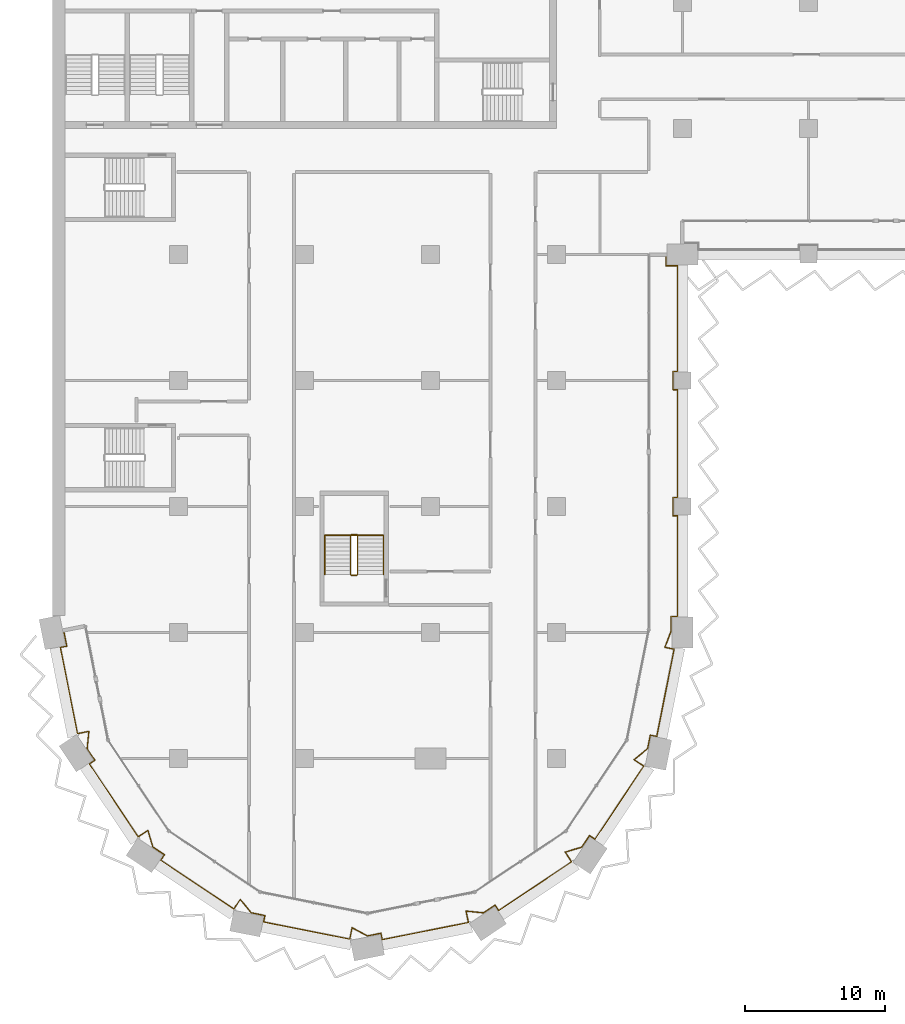
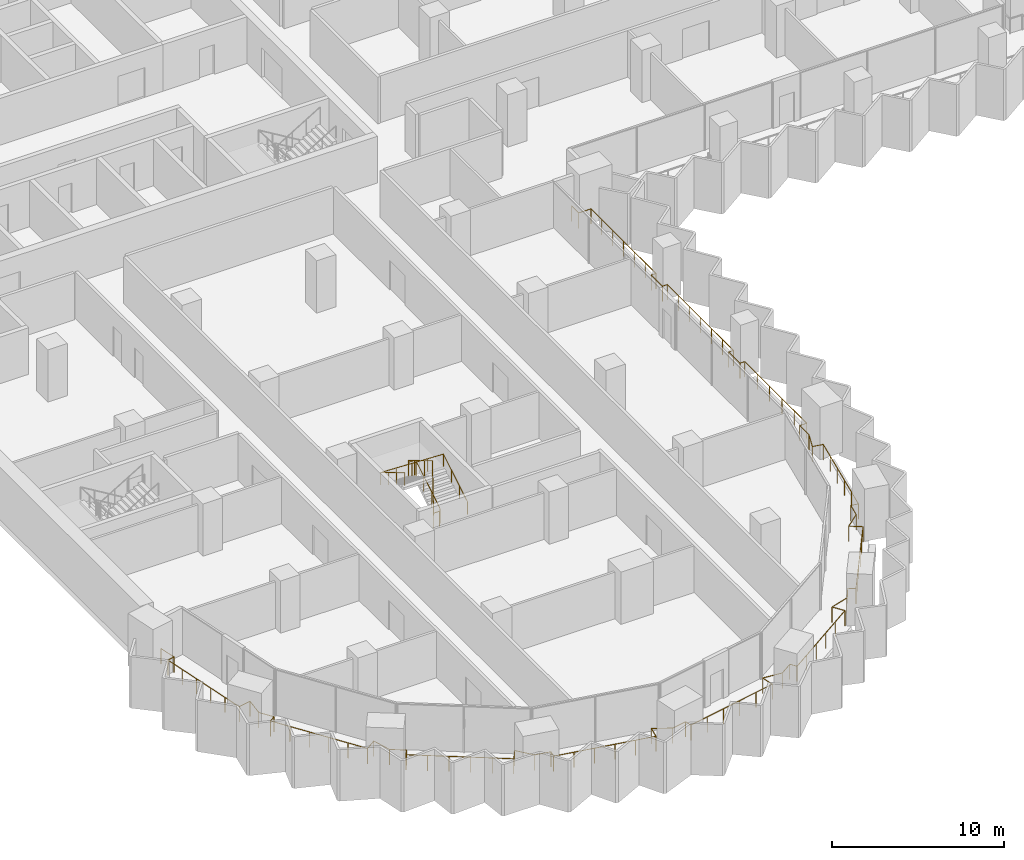
# One storey, part 20 of 23: 3 railings.
"""IFC4 building model written with IfcOpenShell, lengths in metres."""

from ifc_helpers import new_model, si_unit, direction, frame, origin, origin_2d, place, context, subcontext, project, spatial, circle, extrude, material, type_object, element, save


model = new_model("IFC4")

# Units and contexts
model_context = context("Model", 3, precision=1e-05, world=origin(), true_north=direction((0.0, 1.0)))
body_context = subcontext(model_context, "Body", "Model", "MODEL_VIEW")
ifc_project = project(units=[si_unit("LENGTHUNIT", "METRE"), si_unit("AREAUNIT", "SQUARE_METRE"), si_unit("VOLUMEUNIT", "CUBIC_METRE"), si_unit("PLANEANGLEUNIT", "RADIAN"), si_unit("MASSUNIT", "GRAM", prefix="KILO")], contexts=[model_context])

# Site, building, storey
site_placement = place(None, origin())
site = spatial("IfcSite", under=ifc_project, at=site_placement, CompositionType="ELEMENT")
building_placement = place(site_placement, origin())
building = spatial("IfcBuilding", under=site, at=building_placement, Name="Hunhe Ridgeline Campus", CompositionType="ELEMENT")
storey_placement = place(building_placement, frame((0.0, 0.0, 107.0)))
storey = spatial("IfcBuildingStorey", under=building, at=storey_placement, Name="L26", CompositionType="ELEMENT", Elevation=107.0)

# Railings
ifc_material_1 = material(Name="Steel Q355", Category="steel")
railing_type_1 = type_object("IfcRailingType", Name="Loggia guard 1100 Steel Q355", PredefinedType="GUARDRAIL", material=ifc_material_1)
railing_1_placement = place(storey_placement, frame((0.80419921875, 27.159912109375, 0.0)))
element("IfcRailing", 1, at=railing_1_placement, inside=storey, type_object=railing_type_1, Name="Loggia guard 1", PredefinedType="GUARDRAIL", context=body_context, shape_type="SweptSolid", body=[
    extrude(circle(Radius=0.02392578125, at=origin_2d()), frame((0.0, 0.0, 1.076171875), z_axis=(0.195095399255, -0.980784270464, 0.0), x_axis=(0.980784270464, 0.195095399255, 0.0)), (0.0, 0.0, 1.0), 1.150146484375),
    extrude(circle(Radius=0.02392578125, at=origin_2d()), frame((0.224365234375, -1.1279296875, 1.076171875), z_axis=(-0.980839571814, -0.194817181902, 0.0), x_axis=(0.194817181902, -0.980839571814, 0.0)), (0.0, 0.0, 1.0), 0.469970703125),
    extrude(circle(Radius=0.02392578125, at=origin_2d()), frame((-0.236572265625, -1.219482421875, 1.076171875), z_axis=(0.195091122585, -0.98078512116, 0.0), x_axis=(0.98078512116, 0.195091122585, 0.0)), (0.0, 0.0, 1.0), 6.27587890625),
    extrude(circle(Radius=0.02392578125, at=origin_2d()), frame((0.98779296875, -7.374755859375, 1.076171875), z_axis=(0.980805242724, 0.194989937807, 0.0), x_axis=(-0.194989937807, 0.980805242724, 0.0)), (0.0, 0.0, 1.0), 0.833984375),
    extrude(circle(Radius=0.02392578125, at=origin_2d()), frame((1.8056640625, -7.212158203125, 1.076171875), z_axis=(-0.10024174874, -0.994963110778, 0.0), x_axis=(0.994963110778, -0.10024174874, 0.0)), (0.0, 0.0, 1.0), 1.24462890625),
    extrude(circle(Radius=0.02392578125, at=origin_2d()), frame((1.680908203125, -8.450439453125, 1.076171875), z_axis=(0.555613261421, -0.831440860034, 0.0), x_axis=(0.831440860034, 0.555613261421, 0.0)), (0.0, 0.0, 1.0), 0.98681640625),
    extrude(circle(Radius=0.02392578125, at=origin_2d()), frame((2.229248046875, -9.27099609375, 1.076171875), z_axis=(-0.831650496226, -0.55529942565, 0.0), x_axis=(0.55529942565, -0.831650496226, 0.0)), (0.0, 0.0, 1.0), 0.469970703125),
    extrude(circle(Radius=0.02392578125, at=origin_2d()), frame((1.83837890625, -9.531982421875, 1.076171875), z_axis=(0.55555274607, -0.831481296443, 0.0), x_axis=(0.831481296443, 0.55555274607, 0.0)), (0.0, 0.0, 1.0), 6.27587890625),
    extrude(circle(Radius=0.02392578125, at=origin_2d()), frame((5.324951171875, -14.750244140625, 1.076171875), z_axis=(0.831419211319, 0.555645656016, 0.0), x_axis=(-0.555645656016, 0.831419211319, 0.0)), (0.0, 0.0, 1.0), 0.833984375),
    extrude(circle(Radius=0.02392578125, at=origin_2d()), frame((6.018310546875, -14.286865234375, 1.076171875), z_axis=(0.288373576958, -0.957517979002, 0.0), x_axis=(0.957517979002, 0.288373576958, 0.0)), (0.0, 0.0, 1.0), 1.24462890625),
    extrude(circle(Radius=0.02392578125, at=origin_2d()), frame((6.377197265625, -15.478515625, 1.076171875), z_axis=(0.831440860034, -0.555613261421, 0.0), x_axis=(0.555613261421, 0.831440860034, 0.0)), (0.0, 0.0, 1.0), 0.98681640625),
    extrude(circle(Radius=0.02392578125, at=origin_2d()), frame((7.19775390625, -16.02685546875, 1.076171875), z_axis=(-0.555658548717, -0.831410594856, 0.0), x_axis=(0.831410594856, -0.555658548717, 0.0)), (0.0, 0.0, 1.0), 0.47021484375),
    extrude(circle(Radius=0.02392578125, at=origin_2d()), frame((6.9365234375, -16.417724609375, 1.076171875), z_axis=(0.831469289337, -0.555570716372, 0.0), x_axis=(0.555570716372, 0.831469289337, 0.0)), (0.0, 0.0, 1.0), 6.275634765625),
    extrude(circle(Radius=0.02392578125, at=origin_2d()), frame((12.154541015625, -19.904296875, 1.076171875), z_axis=(0.555645656016, 0.831419211319, 0.0), x_axis=(-0.831419211319, 0.555645656016, 0.0)), (0.0, 0.0, 1.0), 0.833984375),
    extrude(circle(Radius=0.02392578125, at=origin_2d()), frame((12.617919921875, -19.2109375, 1.076171875), z_axis=(0.632628709191, -0.774455238414, 0.0), x_axis=(0.774455238414, 0.632628709191, 0.0)), (0.0, 0.0, 1.0), 1.24462890625),
    extrude(circle(Radius=0.02392578125, at=origin_2d()), frame((13.4052734375, -20.1748046875, 1.076171875), z_axis=(0.980770488785, -0.195164669773, 0.0), x_axis=(0.195164669773, 0.980770488785, 0.0)), (0.0, 0.0, 1.0), 0.987060546875),
    extrude(circle(Radius=0.02392578125, at=origin_2d()), frame((14.373291015625, -20.367431640625, 1.076171875), z_axis=(-0.195316901017, -0.980740183829, 0.0), x_axis=(0.980740183829, -0.195316901017, 0.0)), (0.0, 0.0, 1.0), 0.469970703125),
    extrude(circle(Radius=0.02392578125, at=origin_2d()), frame((14.281494140625, -20.828369140625, 1.076171875), z_axis=(0.98078512116, -0.195091122585, 0.0), x_axis=(0.195091122585, 0.98078512116, 0.0)), (0.0, 0.0, 1.0), 6.27587890625),
    extrude(circle(Radius=0.02392578125, at=origin_2d()), frame((20.436767578125, -22.052734375, 1.076171875), z_axis=(0.194989937807, 0.980805242724, 0.0), x_axis=(-0.980805242724, 0.194989937807, 0.0)), (0.0, 0.0, 1.0), 0.833984375),
    extrude(circle(Radius=0.02392578125, at=origin_2d()), frame((20.599365234375, -21.23486328125, 1.076171875), z_axis=(0.880980801229, -0.473152013486, 0.0), x_axis=(0.473152013486, 0.880980801229, 0.0)), (0.0, 0.0, 1.0), 1.24462890625),
    extrude(circle(Radius=0.02392578125, at=origin_2d()), frame((21.69580078125, -21.82373046875, 1.076171875), z_axis=(0.98081780924, 0.194926717196, 0.0), x_axis=(-0.194926717196, 0.98081780924, 0.0)), (0.0, 0.0, 1.0), 0.987060546875),
    extrude(circle(Radius=0.02392578125, at=origin_2d()), frame((22.663818359375, -21.63134765625, 1.076171875), z_axis=(0.194817181902, -0.980839571814, 0.0), x_axis=(0.980839571814, 0.194817181902, 0.0)), (0.0, 0.0, 1.0), 0.469970703125),
    extrude(circle(Radius=0.02392578125, at=origin_2d()), frame((22.75537109375, -22.09228515625, 1.076171875), z_axis=(0.98078512116, 0.195091122585, 0.0), x_axis=(-0.195091122585, 0.98078512116, 0.0)), (0.0, 0.0, 1.0), 6.27587890625),
    extrude(circle(Radius=0.02392578125, at=origin_2d()), frame((28.91064453125, -20.867919921875, 1.076171875), z_axis=(-0.194989937807, 0.980805242724, 0.0), x_axis=(-0.980805242724, -0.194989937807, 0.0)), (0.0, 0.0, 1.0), 0.833984375),
    extrude(circle(Radius=0.02392578125, at=origin_2d()), frame((28.748046875, -20.050048828125, 1.076171875), z_axis=(0.994963110778, -0.10024174874, 0.0), x_axis=(0.10024174874, 0.994963110778, 0.0)), (0.0, 0.0, 1.0), 1.24462890625),
    extrude(circle(Radius=0.02392578125, at=origin_2d()), frame((29.986328125, -20.1748046875, 1.076171875), z_axis=(0.831440860034, 0.555613261421, 0.0), x_axis=(-0.555613261421, 0.831440860034, 0.0)), (0.0, 0.0, 1.0), 0.98681640625),
    extrude(circle(Radius=0.02392578125, at=origin_2d()), frame((30.806884765625, -19.62646484375, 1.076171875), z_axis=(0.55529942565, -0.831650496226, 0.0), x_axis=(0.831650496226, 0.55529942565, 0.0)), (0.0, 0.0, 1.0), 0.469970703125),
    extrude(circle(Radius=0.02392578125, at=origin_2d()), frame((31.06787109375, -20.017333984375, 1.076171875), z_axis=(0.831481296443, 0.55555274607, 0.0), x_axis=(-0.55555274607, 0.831481296443, 0.0)), (0.0, 0.0, 1.0), 6.27587890625),
    extrude(circle(Radius=0.02392578125, at=origin_2d()), frame((36.2861328125, -16.53076171875, 1.076171875), z_axis=(-0.555645656016, 0.831419211319, 0.0), x_axis=(-0.831419211319, -0.555645656016, 0.0)), (0.0, 0.0, 1.0), 0.833984375),
    extrude(circle(Radius=0.02392578125, at=origin_2d()), frame((35.82275390625, -15.83740234375, 1.076171875), z_axis=(0.957517979002, 0.288373576958, 0.0), x_axis=(-0.288373576958, 0.957517979002, 0.0)), (0.0, 0.0, 1.0), 1.24462890625),
    extrude(circle(Radius=0.02392578125, at=origin_2d()), frame((37.014404296875, -15.478515625, 1.076171875), z_axis=(0.555613261421, 0.831440860034, 0.0), x_axis=(-0.831440860034, 0.555613261421, 0.0)), (0.0, 0.0, 1.0), 0.98681640625),
    extrude(circle(Radius=0.02392578125, at=origin_2d()), frame((37.562744140625, -14.657958984375, 1.076171875), z_axis=(0.831410594856, -0.555658548717, 0.0), x_axis=(0.555658548717, 0.831410594856, 0.0)), (0.0, 0.0, 1.0), 0.47021484375),
    extrude(circle(Radius=0.02392578125, at=origin_2d()), frame((37.95361328125, -14.919189453125, 1.076171875), z_axis=(0.555570716372, 0.831469289337, 0.0), x_axis=(-0.831469289337, 0.555570716372, 0.0)), (0.0, 0.0, 1.0), 6.275634765625),
    extrude(circle(Radius=0.02392578125, at=origin_2d()), frame((41.440185546875, -9.701171875, 1.076171875), z_axis=(-0.831419211319, 0.555645656016, 0.0), x_axis=(-0.555645656016, -0.831419211319, 0.0)), (0.0, 0.0, 1.0), 0.833984375),
    extrude(circle(Radius=0.02392578125, at=origin_2d()), frame((40.746826171875, -9.23779296875, 1.076171875), z_axis=(0.774455238414, 0.632628709191, 0.0), x_axis=(-0.632628709191, 0.774455238414, 0.0)), (0.0, 0.0, 1.0), 1.24462890625),
    extrude(circle(Radius=0.02392578125, at=origin_2d()), frame((41.710693359375, -8.450439453125, 1.076171875), z_axis=(0.195164669773, 0.980770488785, 0.0), x_axis=(-0.980770488785, 0.195164669773, 0.0)), (0.0, 0.0, 1.0), 0.987060546875),
    extrude(circle(Radius=0.02392578125, at=origin_2d()), frame((41.9033203125, -7.482421875, 1.076171875), z_axis=(0.980740183829, -0.195316901017, 0.0), x_axis=(0.195316901017, 0.980740183829, 0.0)), (0.0, 0.0, 1.0), 0.469970703125),
    extrude(circle(Radius=0.02392578125, at=origin_2d()), frame((42.3642578125, -7.57421875, 1.076171875), z_axis=(0.195074166836, 0.98078849373, 0.0), x_axis=(-0.98078849373, 0.195074166836, 0.0)), (0.0, 0.0, 1.0), 6.35400390625),
    extrude(circle(Radius=0.02392578125, at=origin_2d()), frame((43.603759765625, -1.34228515625, 1.076171875), z_axis=(-0.980818178173, 0.194924860818, 0.0), x_axis=(-0.194924860818, -0.980818178173, 0.0)), (0.0, 0.0, 1.0), 0.670166015625),
    extrude(circle(Radius=0.02392578125, at=origin_2d()), frame((42.946533203125, -1.211669921875, 1.076171875), z_axis=(0.354368618256, 0.935105813475, 0.0), x_axis=(-0.935105813475, 0.354368618256, 0.0)), (0.0, 0.0, 1.0), 1.211181640625),
    extrude(circle(Radius=0.02392578125, at=origin_2d()), frame((43.375732421875, -0.0791015625, 1.076171875), z_axis=(0.0, 1.0, 0.0), x_axis=(-1.0, 0.0, 0.0)), (0.0, 0.0, 1.0), 1.069091796875),
    extrude(circle(Radius=0.02392578125, at=origin_2d()), frame((43.375732421875, 0.989990234375, 1.076171875), z_axis=(1.0, 0.0, 0.0), x_axis=(0.0, 1.0, 0.0)), (0.0, 0.0, 1.0), 0.469970703125),
    extrude(circle(Radius=0.02392578125, at=origin_2d()), frame((43.845703125, 0.989990234375, 1.076171875), z_axis=(0.0, 1.0, 0.0), x_axis=(-1.0, 0.0, 0.0)), (0.0, 0.0, 1.0), 7.2001953125),
    extrude(circle(Radius=0.02392578125, at=origin_2d()), frame((43.845703125, 8.190185546875, 1.076171875), z_axis=(-1.0, 0.0, 0.0), x_axis=(0.0, -1.0, 0.0)), (0.0, 0.0, 1.0), 0.31982421875),
    extrude(circle(Radius=0.02392578125, at=origin_2d()), frame((43.52587890625, 8.190185546875, 1.076171875), z_axis=(0.0, 1.0, 0.0), x_axis=(-1.0, 0.0, 0.0)), (0.0, 0.0, 1.0), 1.2998046875),
    extrude(circle(Radius=0.02392578125, at=origin_2d()), frame((43.52587890625, 9.489990234375, 1.076171875), z_axis=(1.0, 0.0, 0.0), x_axis=(0.0, 1.0, 0.0)), (0.0, 0.0, 1.0), 0.31982421875),
    extrude(circle(Radius=0.02392578125, at=origin_2d()), frame((43.845703125, 9.489990234375, 1.076171875), z_axis=(0.0, 1.0, 0.0), x_axis=(-1.0, 0.0, 0.0)), (0.0, 0.0, 1.0), 7.7001953125),
    extrude(circle(Radius=0.02392578125, at=origin_2d()), frame((43.845703125, 17.190185546875, 1.076171875), z_axis=(-1.0, 0.0, 0.0), x_axis=(0.0, -1.0, 0.0)), (0.0, 0.0, 1.0), 0.31982421875),
    extrude(circle(Radius=0.02392578125, at=origin_2d()), frame((43.52587890625, 17.190185546875, 1.076171875), z_axis=(0.0, 1.0, 0.0), x_axis=(-1.0, 0.0, 0.0)), (0.0, 0.0, 1.0), 1.2998046875),
    extrude(circle(Radius=0.02392578125, at=origin_2d()), frame((43.52587890625, 18.489990234375, 1.076171875), z_axis=(1.0, 0.0, 0.0), x_axis=(0.0, 1.0, 0.0)), (0.0, 0.0, 1.0), 0.31982421875),
    extrude(circle(Radius=0.02392578125, at=origin_2d()), frame((43.845703125, 18.489990234375, 1.076171875), z_axis=(0.0, 1.0, 0.0), x_axis=(-1.0, 0.0, 0.0)), (0.0, 0.0, 1.0), 7.550048828125),
    extrude(circle(Radius=0.02392578125, at=origin_2d()), frame((43.845703125, 26.0400390625, 1.076171875), z_axis=(-1.0, 0.0, 0.0), x_axis=(0.0, -1.0, 0.0)), (0.0, 0.0, 1.0), 0.81982421875),
    extrude(circle(Radius=0.02392578125, at=origin_2d()), frame((43.02587890625, 26.0400390625, 1.076171875), z_axis=(0.0, 1.0, 0.0), x_axis=(-1.0, 0.0, 0.0)), (0.0, 0.0, 1.0), 0.800048828125),
    extrude(circle(Radius=0.02099609375, at=origin_2d()), origin(), (0.0, 0.0, 1.0), 1.052001953125),
    extrude(circle(Radius=0.02099609375, at=origin_2d()), frame((0.224365234375, -1.1279296875, 0.0)), (0.0, 0.0, 1.0), 1.052001953125),
    extrude(circle(Radius=0.02099609375, at=origin_2d()), frame((-0.236572265625, -1.219482421875, 0.0)), (0.0, 0.0, 1.0), 1.052001953125),
    extrude(circle(Radius=0.02099609375, at=origin_2d()), frame((0.00830078125, -2.450439453125, 0.0)), (0.0, 0.0, 1.0), 1.052001953125),
    extrude(circle(Radius=0.02099609375, at=origin_2d()), frame((0.253173828125, -3.681640625, 0.0)), (0.0, 0.0, 1.0), 1.052001953125),
    extrude(circle(Radius=0.02099609375, at=origin_2d()), frame((0.498046875, -4.91259765625, 0.0)), (0.0, 0.0, 1.0), 1.052001953125),
    extrude(circle(Radius=0.02099609375, at=origin_2d()), frame((0.742919921875, -6.143798828125, 0.0)), (0.0, 0.0, 1.0), 1.052001953125),
    extrude(circle(Radius=0.02099609375, at=origin_2d()), frame((0.98779296875, -7.374755859375, 0.0)), (0.0, 0.0, 1.0), 1.052001953125),
    extrude(circle(Radius=0.02099609375, at=origin_2d()), frame((1.8056640625, -7.212158203125, 0.0)), (0.0, 0.0, 1.0), 1.052001953125),
    extrude(circle(Radius=0.02099609375, at=origin_2d()), frame((1.680908203125, -8.450439453125, 0.0)), (0.0, 0.0, 1.0), 1.052001953125),
    extrude(circle(Radius=0.02099609375, at=origin_2d()), frame((2.229248046875, -9.27099609375, 0.0)), (0.0, 0.0, 1.0), 1.052001953125),
    extrude(circle(Radius=0.02099609375, at=origin_2d()), frame((1.83837890625, -9.531982421875, 0.0)), (0.0, 0.0, 1.0), 1.052001953125),
    extrude(circle(Radius=0.02099609375, at=origin_2d()), frame((2.53564453125, -10.57568359375, 0.0)), (0.0, 0.0, 1.0), 1.052001953125),
    extrude(circle(Radius=0.02099609375, at=origin_2d()), frame((3.23291015625, -11.619384765625, 0.0)), (0.0, 0.0, 1.0), 1.052001953125),
    extrude(circle(Radius=0.02099609375, at=origin_2d()), frame((3.930419921875, -12.662841796875, 0.0)), (0.0, 0.0, 1.0), 1.052001953125),
    extrude(circle(Radius=0.02099609375, at=origin_2d()), frame((4.627685546875, -13.70654296875, 0.0)), (0.0, 0.0, 1.0), 1.052001953125),
    extrude(circle(Radius=0.02099609375, at=origin_2d()), frame((5.324951171875, -14.750244140625, 0.0)), (0.0, 0.0, 1.0), 1.052001953125),
    extrude(circle(Radius=0.02099609375, at=origin_2d()), frame((6.018310546875, -14.286865234375, 0.0)), (0.0, 0.0, 1.0), 1.052001953125),
    extrude(circle(Radius=0.02099609375, at=origin_2d()), frame((6.377197265625, -15.478515625, 0.0)), (0.0, 0.0, 1.0), 1.052001953125),
    extrude(circle(Radius=0.02099609375, at=origin_2d()), frame((7.19775390625, -16.02685546875, 0.0)), (0.0, 0.0, 1.0), 1.052001953125),
    extrude(circle(Radius=0.02099609375, at=origin_2d()), frame((6.9365234375, -16.417724609375, 0.0)), (0.0, 0.0, 1.0), 1.052001953125),
    extrude(circle(Radius=0.02099609375, at=origin_2d()), frame((7.980224609375, -17.114990234375, 0.0)), (0.0, 0.0, 1.0), 1.052001953125),
    extrude(circle(Radius=0.02099609375, at=origin_2d()), frame((9.023681640625, -17.812255859375, 0.0)), (0.0, 0.0, 1.0), 1.052001953125),
    extrude(circle(Radius=0.02099609375, at=origin_2d()), frame((10.0673828125, -18.509765625, 0.0)), (0.0, 0.0, 1.0), 1.052001953125),
    extrude(circle(Radius=0.02099609375, at=origin_2d()), frame((11.11083984375, -19.20703125, 0.0)), (0.0, 0.0, 1.0), 1.052001953125),
    extrude(circle(Radius=0.02099609375, at=origin_2d()), frame((12.154541015625, -19.904296875, 0.0)), (0.0, 0.0, 1.0), 1.052001953125),
    extrude(circle(Radius=0.02099609375, at=origin_2d()), frame((12.617919921875, -19.2109375, 0.0)), (0.0, 0.0, 1.0), 1.052001953125),
    extrude(circle(Radius=0.02099609375, at=origin_2d()), frame((13.4052734375, -20.1748046875, 0.0)), (0.0, 0.0, 1.0), 1.052001953125),
    extrude(circle(Radius=0.02099609375, at=origin_2d()), frame((14.373291015625, -20.367431640625, 0.0)), (0.0, 0.0, 1.0), 1.052001953125),
    extrude(circle(Radius=0.02099609375, at=origin_2d()), frame((14.281494140625, -20.828369140625, 0.0)), (0.0, 0.0, 1.0), 1.052001953125),
    extrude(circle(Radius=0.02099609375, at=origin_2d()), frame((15.512451171875, -21.0732421875, 0.0)), (0.0, 0.0, 1.0), 1.052001953125),
    extrude(circle(Radius=0.02099609375, at=origin_2d()), frame((16.74365234375, -21.318115234375, 0.0)), (0.0, 0.0, 1.0), 1.052001953125),
    extrude(circle(Radius=0.02099609375, at=origin_2d()), frame((17.974609375, -21.56298828125, 0.0)), (0.0, 0.0, 1.0), 1.052001953125),
    extrude(circle(Radius=0.02099609375, at=origin_2d()), frame((19.205810546875, -21.807861328125, 0.0)), (0.0, 0.0, 1.0), 1.052001953125),
    extrude(circle(Radius=0.02099609375, at=origin_2d()), frame((20.436767578125, -22.052734375, 0.0)), (0.0, 0.0, 1.0), 1.052001953125),
    extrude(circle(Radius=0.02099609375, at=origin_2d()), frame((20.599365234375, -21.23486328125, 0.0)), (0.0, 0.0, 1.0), 1.052001953125),
    extrude(circle(Radius=0.02099609375, at=origin_2d()), frame((21.69580078125, -21.82373046875, 0.0)), (0.0, 0.0, 1.0), 1.052001953125),
    extrude(circle(Radius=0.02099609375, at=origin_2d()), frame((22.663818359375, -21.63134765625, 0.0)), (0.0, 0.0, 1.0), 1.052001953125),
    extrude(circle(Radius=0.02099609375, at=origin_2d()), frame((22.75537109375, -22.09228515625, 0.0)), (0.0, 0.0, 1.0), 1.052001953125),
    extrude(circle(Radius=0.02099609375, at=origin_2d()), frame((23.986328125, -21.847412109375, 0.0)), (0.0, 0.0, 1.0), 1.052001953125),
    extrude(circle(Radius=0.02099609375, at=origin_2d()), frame((25.217529296875, -21.6025390625, 0.0)), (0.0, 0.0, 1.0), 1.052001953125),
    extrude(circle(Radius=0.02099609375, at=origin_2d()), frame((26.448486328125, -21.357666015625, 0.0)), (0.0, 0.0, 1.0), 1.052001953125),
    extrude(circle(Radius=0.02099609375, at=origin_2d()), frame((27.6796875, -21.11279296875, 0.0)), (0.0, 0.0, 1.0), 1.052001953125),
    extrude(circle(Radius=0.02099609375, at=origin_2d()), frame((28.91064453125, -20.867919921875, 0.0)), (0.0, 0.0, 1.0), 1.052001953125),
    extrude(circle(Radius=0.02099609375, at=origin_2d()), frame((28.748046875, -20.050048828125, 0.0)), (0.0, 0.0, 1.0), 1.052001953125),
    extrude(circle(Radius=0.02099609375, at=origin_2d()), frame((29.986328125, -20.1748046875, 0.0)), (0.0, 0.0, 1.0), 1.052001953125),
    extrude(circle(Radius=0.02099609375, at=origin_2d()), frame((30.806884765625, -19.62646484375, 0.0)), (0.0, 0.0, 1.0), 1.052001953125),
    extrude(circle(Radius=0.02099609375, at=origin_2d()), frame((31.06787109375, -20.017333984375, 0.0)), (0.0, 0.0, 1.0), 1.052001953125),
    extrude(circle(Radius=0.02099609375, at=origin_2d()), frame((32.111572265625, -19.320068359375, 0.0)), (0.0, 0.0, 1.0), 1.052001953125),
    extrude(circle(Radius=0.02099609375, at=origin_2d()), frame((33.1552734375, -18.622802734375, 0.0)), (0.0, 0.0, 1.0), 1.052001953125),
    extrude(circle(Radius=0.02099609375, at=origin_2d()), frame((34.19873046875, -17.92529296875, 0.0)), (0.0, 0.0, 1.0), 1.052001953125),
    extrude(circle(Radius=0.02099609375, at=origin_2d()), frame((35.242431640625, -17.22802734375, 0.0)), (0.0, 0.0, 1.0), 1.052001953125),
    extrude(circle(Radius=0.02099609375, at=origin_2d()), frame((36.2861328125, -16.53076171875, 0.0)), (0.0, 0.0, 1.0), 1.052001953125),
    extrude(circle(Radius=0.02099609375, at=origin_2d()), frame((35.82275390625, -15.83740234375, 0.0)), (0.0, 0.0, 1.0), 1.052001953125),
    extrude(circle(Radius=0.02099609375, at=origin_2d()), frame((37.014404296875, -15.478515625, 0.0)), (0.0, 0.0, 1.0), 1.052001953125),
    extrude(circle(Radius=0.02099609375, at=origin_2d()), frame((37.562744140625, -14.657958984375, 0.0)), (0.0, 0.0, 1.0), 1.052001953125),
    extrude(circle(Radius=0.02099609375, at=origin_2d()), frame((37.95361328125, -14.919189453125, 0.0)), (0.0, 0.0, 1.0), 1.052001953125),
    extrude(circle(Radius=0.02099609375, at=origin_2d()), frame((38.65087890625, -13.87548828125, 0.0)), (0.0, 0.0, 1.0), 1.052001953125),
    extrude(circle(Radius=0.02099609375, at=origin_2d()), frame((39.34814453125, -12.83203125, 0.0)), (0.0, 0.0, 1.0), 1.052001953125),
    extrude(circle(Radius=0.02099609375, at=origin_2d()), frame((40.045654296875, -11.788330078125, 0.0)), (0.0, 0.0, 1.0), 1.052001953125),
    extrude(circle(Radius=0.02099609375, at=origin_2d()), frame((40.742919921875, -10.744873046875, 0.0)), (0.0, 0.0, 1.0), 1.052001953125),
    extrude(circle(Radius=0.02099609375, at=origin_2d()), frame((41.440185546875, -9.701171875, 0.0)), (0.0, 0.0, 1.0), 1.052001953125),
    extrude(circle(Radius=0.02099609375, at=origin_2d()), frame((40.746826171875, -9.23779296875, 0.0)), (0.0, 0.0, 1.0), 1.052001953125),
    extrude(circle(Radius=0.02099609375, at=origin_2d()), frame((41.710693359375, -8.450439453125, 0.0)), (0.0, 0.0, 1.0), 1.052001953125),
    extrude(circle(Radius=0.02099609375, at=origin_2d()), frame((41.9033203125, -7.482421875, 0.0)), (0.0, 0.0, 1.0), 1.052001953125),
    extrude(circle(Radius=0.02099609375, at=origin_2d()), frame((42.3642578125, -7.57421875, 0.0)), (0.0, 0.0, 1.0), 1.052001953125),
    extrude(circle(Radius=0.02099609375, at=origin_2d()), frame((42.612060546875, -6.327880859375, 0.0)), (0.0, 0.0, 1.0), 1.052001953125),
    extrude(circle(Radius=0.02099609375, at=origin_2d()), frame((42.860107421875, -5.08154296875, 0.0)), (0.0, 0.0, 1.0), 1.052001953125),
    extrude(circle(Radius=0.02099609375, at=origin_2d()), frame((43.10791015625, -3.8349609375, 0.0)), (0.0, 0.0, 1.0), 1.052001953125),
    extrude(circle(Radius=0.02099609375, at=origin_2d()), frame((43.35595703125, -2.588623046875, 0.0)), (0.0, 0.0, 1.0), 1.052001953125),
    extrude(circle(Radius=0.02099609375, at=origin_2d()), frame((43.603759765625, -1.34228515625, 0.0)), (0.0, 0.0, 1.0), 1.052001953125),
    extrude(circle(Radius=0.02099609375, at=origin_2d()), frame((42.946533203125, -1.211669921875, 0.0)), (0.0, 0.0, 1.0), 1.052001953125),
    extrude(circle(Radius=0.02099609375, at=origin_2d()), frame((43.375732421875, -0.0791015625, 0.0)), (0.0, 0.0, 1.0), 1.052001953125),
    extrude(circle(Radius=0.02099609375, at=origin_2d()), frame((43.375732421875, 0.989990234375, 0.0)), (0.0, 0.0, 1.0), 1.052001953125),
    extrude(circle(Radius=0.02099609375, at=origin_2d()), frame((43.845703125, 0.989990234375, 0.0)), (0.0, 0.0, 1.0), 1.052001953125),
    extrude(circle(Radius=0.02099609375, at=origin_2d()), frame((43.845703125, 2.429931640625, 0.0)), (0.0, 0.0, 1.0), 1.052001953125),
    extrude(circle(Radius=0.02099609375, at=origin_2d()), frame((43.845703125, 3.8701171875, 0.0)), (0.0, 0.0, 1.0), 1.052001953125),
    extrude(circle(Radius=0.02099609375, at=origin_2d()), frame((43.845703125, 5.31005859375, 0.0)), (0.0, 0.0, 1.0), 1.052001953125),
    extrude(circle(Radius=0.02099609375, at=origin_2d()), frame((43.845703125, 6.750244140625, 0.0)), (0.0, 0.0, 1.0), 1.052001953125),
    extrude(circle(Radius=0.02099609375, at=origin_2d()), frame((43.845703125, 8.190185546875, 0.0)), (0.0, 0.0, 1.0), 1.052001953125),
    extrude(circle(Radius=0.02099609375, at=origin_2d()), frame((43.52587890625, 8.190185546875, 0.0)), (0.0, 0.0, 1.0), 1.052001953125),
    extrude(circle(Radius=0.02099609375, at=origin_2d()), frame((43.52587890625, 9.489990234375, 0.0)), (0.0, 0.0, 1.0), 1.052001953125),
    extrude(circle(Radius=0.02099609375, at=origin_2d()), frame((43.845703125, 9.489990234375, 0.0)), (0.0, 0.0, 1.0), 1.052001953125),
    extrude(circle(Radius=0.02099609375, at=origin_2d()), frame((43.845703125, 10.7734375, 0.0)), (0.0, 0.0, 1.0), 1.052001953125),
    extrude(circle(Radius=0.02099609375, at=origin_2d()), frame((43.845703125, 12.056640625, 0.0)), (0.0, 0.0, 1.0), 1.052001953125),
    extrude(circle(Radius=0.02099609375, at=origin_2d()), frame((43.845703125, 13.340087890625, 0.0)), (0.0, 0.0, 1.0), 1.052001953125),
    extrude(circle(Radius=0.02099609375, at=origin_2d()), frame((43.845703125, 14.62353515625, 0.0)), (0.0, 0.0, 1.0), 1.052001953125),
    extrude(circle(Radius=0.02099609375, at=origin_2d()), frame((43.845703125, 15.90673828125, 0.0)), (0.0, 0.0, 1.0), 1.052001953125),
    extrude(circle(Radius=0.02099609375, at=origin_2d()), frame((43.845703125, 17.190185546875, 0.0)), (0.0, 0.0, 1.0), 1.052001953125),
    extrude(circle(Radius=0.02099609375, at=origin_2d()), frame((43.52587890625, 17.190185546875, 0.0)), (0.0, 0.0, 1.0), 1.052001953125),
    extrude(circle(Radius=0.02099609375, at=origin_2d()), frame((43.52587890625, 18.489990234375, 0.0)), (0.0, 0.0, 1.0), 1.052001953125),
    extrude(circle(Radius=0.02099609375, at=origin_2d()), frame((43.845703125, 18.489990234375, 0.0)), (0.0, 0.0, 1.0), 1.052001953125),
    extrude(circle(Radius=0.02099609375, at=origin_2d()), frame((43.845703125, 19.748291015625, 0.0)), (0.0, 0.0, 1.0), 1.052001953125),
    extrude(circle(Radius=0.02099609375, at=origin_2d()), frame((43.845703125, 21.006591796875, 0.0)), (0.0, 0.0, 1.0), 1.052001953125),
    extrude(circle(Radius=0.02099609375, at=origin_2d()), frame((43.845703125, 22.26513671875, 0.0)), (0.0, 0.0, 1.0), 1.052001953125),
    extrude(circle(Radius=0.02099609375, at=origin_2d()), frame((43.845703125, 23.5234375, 0.0)), (0.0, 0.0, 1.0), 1.052001953125),
    extrude(circle(Radius=0.02099609375, at=origin_2d()), frame((43.845703125, 24.78173828125, 0.0)), (0.0, 0.0, 1.0), 1.052001953125),
    extrude(circle(Radius=0.02099609375, at=origin_2d()), frame((43.845703125, 26.0400390625, 0.0)), (0.0, 0.0, 1.0), 1.052001953125),
    extrude(circle(Radius=0.02099609375, at=origin_2d()), frame((43.02587890625, 26.0400390625, 0.0)), (0.0, 0.0, 1.0), 1.052001953125),
    extrude(circle(Radius=0.02099609375, at=origin_2d()), frame((43.02587890625, 26.840087890625, 0.0)), (0.0, 0.0, 1.0), 1.052001953125),
])
ifc_material_2 = material(Name="Stainless steel balustrade", Category="steel")
railing_type_2 = type_object("IfcRailingType", Name="Stair guard 1100 stainless", PredefinedType="GUARDRAIL", material=ifc_material_2)
railing_2_placement = place(storey_placement, frame((21.800048828125, 31.14990234375, 0.168212890625)))
element("IfcRailing", 2, at=railing_2_placement, inside=storey, type_object=railing_type_2, Name="L26 stair W3 guard", PredefinedType="GUARDRAIL", context=body_context, shape_type="SweptSolid", body=[
    extrude(circle(Radius=0.02392578125, at=origin_2d()), frame((0.0, 0.0, 1.076171875), z_axis=(0.0, 0.857242210791, 0.514913383045), x_axis=(-1.0, 0.0, 0.0)), (0.0, 0.0, 1.0), 3.266357421875),
    extrude(circle(Radius=0.02392578125, at=origin_2d()), frame((0.0, 2.800048828125, 2.7578125), z_axis=(-0.707106781187, 0.707106781187, 0.0), x_axis=(-0.707106781187, -0.707106781187, 0.0)), (0.0, 0.0, 1.0), 0.07080078125),
    extrude(circle(Radius=0.02392578125, at=origin_2d()), frame((-0.050048828125, 2.85009765625, 2.7578125), z_axis=(-1.0, 0.0, 0.0), x_axis=(0.0, -1.0, 0.0)), (0.0, 0.0, 1.0), 0.39990234375),
    extrude(circle(Radius=0.02392578125, at=origin_2d()), frame((-0.449951171875, 2.85009765625, 2.7578125), z_axis=(-0.274582412415, -0.274582412415, 0.921525364591), x_axis=(0.707106781187, -0.707106781187, 0.0)), (0.0, 0.0, 1.0), 0.182373046875),
    extrude(circle(Radius=0.02392578125, at=origin_2d()), frame((-0.5, 2.800048828125, 2.92578125), z_axis=(0.0, -0.857242210791, 0.514913383045), x_axis=(1.0, 0.0, 0.0)), (0.0, 0.0, 1.0), 3.266357421875),
    extrude(circle(Radius=0.02392578125, at=origin_2d()), frame((-0.5, 0.0, 4.60791015625), z_axis=(0.013524426427, -0.013458453615, -0.999817963389), x_axis=(0.705375805398, 0.708833529934, 0.0)), (0.0, 0.0, 1.0), 3.70068359375),
    extrude(circle(Radius=0.02392578125, at=origin_2d()), frame((-0.449951171875, -0.0498046875, 0.90771484375), z_axis=(1.0, 0.0, 0.0), x_axis=(0.0, 1.0, 0.0)), (0.0, 0.0, 1.0), 0.39990234375),
    extrude(circle(Radius=0.02099609375, at=origin_2d()), origin(), (0.0, 0.0, 1.0), 1.052001953125),
    extrude(circle(Radius=0.02099609375, at=origin_2d()), frame((0.0, 0.933349609375, 0.560546875)), (0.0, 0.0, 1.0), 1.052001953125),
    extrude(circle(Radius=0.02099609375, at=origin_2d()), frame((0.0, 1.86669921875, 1.121337890625)), (0.0, 0.0, 1.0), 1.052001953125),
    extrude(circle(Radius=0.02099609375, at=origin_2d()), frame((0.0, 2.800048828125, 1.681884765625)), (0.0, 0.0, 1.0), 1.052001953125),
    extrude(circle(Radius=0.02099609375, at=origin_2d()), frame((-0.050048828125, 2.85009765625, 1.681884765625)), (0.0, 0.0, 1.0), 1.052001953125),
    extrude(circle(Radius=0.02099609375, at=origin_2d()), frame((-0.449951171875, 2.85009765625, 1.681884765625)), (0.0, 0.0, 1.0), 1.052001953125),
    extrude(circle(Radius=0.02099609375, at=origin_2d()), frame((-0.5, 2.800048828125, 1.849853515625)), (0.0, 0.0, 1.0), 1.052001953125),
    extrude(circle(Radius=0.02099609375, at=origin_2d()), frame((-0.5, 1.86669921875, 2.410400390625)), (0.0, 0.0, 1.0), 1.052001953125),
    extrude(circle(Radius=0.02099609375, at=origin_2d()), frame((-0.5, 0.933349609375, 2.97119140625)), (0.0, 0.0, 1.0), 1.052001953125),
    extrude(circle(Radius=0.02099609375, at=origin_2d()), frame((-0.5, 0.0, 3.53173828125)), (0.0, 0.0, 1.0), 1.052001953125),
    extrude(circle(Radius=0.02099609375, at=origin_2d()), frame((-0.487548828125, -0.012451171875, 2.606689453125)), (0.0, 0.0, 1.0), 1.052001953125),
    extrude(circle(Radius=0.02099609375, at=origin_2d()), frame((-0.47509765625, -0.02490234375, 1.681640625)), (0.0, 0.0, 1.0), 1.052001953125),
    extrude(circle(Radius=0.02099609375, at=origin_2d()), frame((-0.46240234375, -0.037353515625, 0.7568359375)), (0.0, 0.0, 1.0), 1.052001953125),
    extrude(circle(Radius=0.02099609375, at=origin_2d()), frame((-0.449951171875, -0.0498046875, -0.168212890625)), (0.0, 0.0, 1.0), 1.052001953125),
    extrude(circle(Radius=0.02099609375, at=origin_2d()), frame((-0.050048828125, -0.0498046875, -0.168212890625)), (0.0, 0.0, 1.0), 1.052001953125),
])
ifc_material_3 = material(Name="Stainless steel handrail", Category="steel")
railing_type_3 = type_object("IfcRailingType", Name="Stair handrail 900 stainless", PredefinedType="HANDRAIL", material=ifc_material_3)
railing_3_placement = place(storey_placement, frame((23.64990234375, 31.14990234375, 0.168212890625)))
element("IfcRailing", 3, at=railing_3_placement, inside=storey, type_object=railing_type_3, Name="L26 stair W3 handrail", PredefinedType="HANDRAIL", context=body_context, shape_type="SweptSolid", body=[
    extrude(circle(Radius=0.02392578125, at=origin_2d()), frame((0.0, 0.0, 0.8759765625), z_axis=(0.0, 0.857242210791, 0.514913383045), x_axis=(-1.0, 0.0, 0.0)), (0.0, 0.0, 1.0), 3.266357421875),
    extrude(circle(Radius=0.02392578125, at=origin_2d()), frame((0.0, 2.800048828125, 2.5576171875), z_axis=(-0.99920123705, 0.0, 0.039961079526), x_axis=(0.0, -1.0, 0.0)), (0.0, 0.0, 1.0), 4.203369140625),
    extrude(circle(Radius=0.02392578125, at=origin_2d()), frame((-4.199951171875, 2.800048828125, 2.7255859375), z_axis=(0.0, -0.857242210791, 0.514913383045), x_axis=(1.0, 0.0, 0.0)), (0.0, 0.0, 1.0), 3.266357421875),
    extrude(circle(Radius=0.02099609375, at=origin_2d()), origin(), (0.0, 0.0, 1.0), 0.851806640625),
    extrude(circle(Radius=0.02099609375, at=origin_2d()), frame((0.0, 0.933349609375, 0.560546875)), (0.0, 0.0, 1.0), 0.851806640625),
    extrude(circle(Radius=0.02099609375, at=origin_2d()), frame((0.0, 1.86669921875, 1.121337890625)), (0.0, 0.0, 1.0), 0.851806640625),
    extrude(circle(Radius=0.02099609375, at=origin_2d()), frame((0.0, 2.800048828125, 1.681884765625)), (0.0, 0.0, 1.0), 0.851806640625),
    extrude(circle(Radius=0.02099609375, at=origin_2d()), frame((-1.050048828125, 2.800048828125, 1.723876953125)), (0.0, 0.0, 1.0), 0.851806640625),
    extrude(circle(Radius=0.02099609375, at=origin_2d()), frame((-2.10009765625, 2.800048828125, 1.765869140625)), (0.0, 0.0, 1.0), 0.851806640625),
    extrude(circle(Radius=0.02099609375, at=origin_2d()), frame((-3.14990234375, 2.800048828125, 1.807861328125)), (0.0, 0.0, 1.0), 0.851806640625),
    extrude(circle(Radius=0.02099609375, at=origin_2d()), frame((-4.199951171875, 2.800048828125, 1.849853515625)), (0.0, 0.0, 1.0), 0.851806640625),
    extrude(circle(Radius=0.02099609375, at=origin_2d()), frame((-4.199951171875, 1.86669921875, 2.410400390625)), (0.0, 0.0, 1.0), 0.851806640625),
    extrude(circle(Radius=0.02099609375, at=origin_2d()), frame((-4.199951171875, 0.933349609375, 2.97119140625)), (0.0, 0.0, 1.0), 0.851806640625),
    extrude(circle(Radius=0.02099609375, at=origin_2d()), frame((-4.199951171875, 0.0, 3.53173828125)), (0.0, 0.0, 1.0), 0.851806640625),
])

save(model, "model.ifc")
